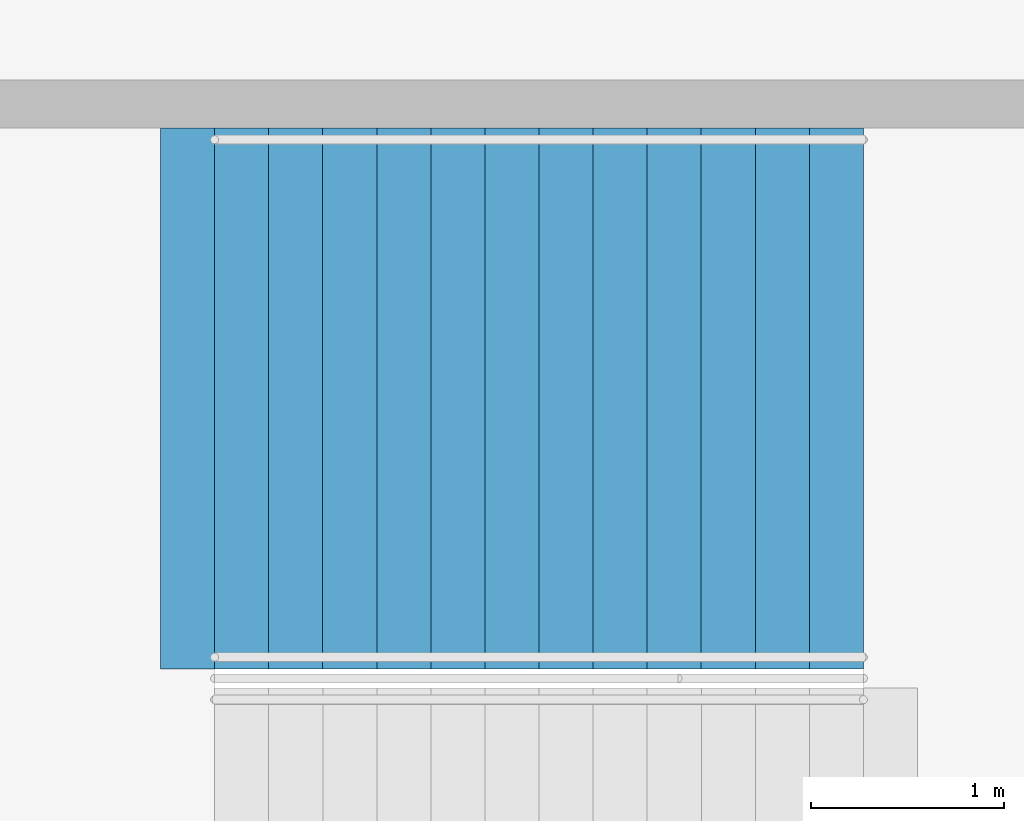
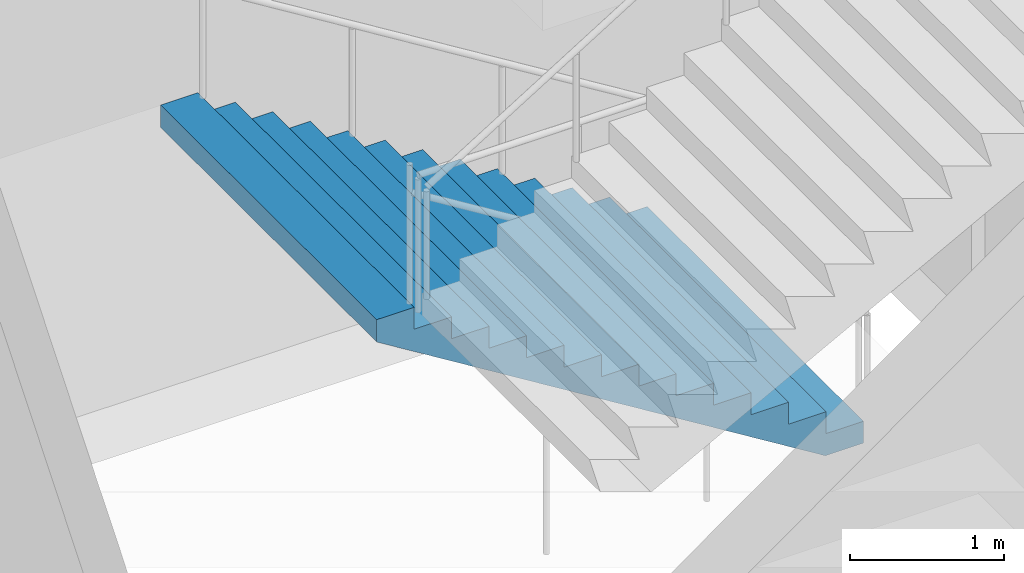
# One storey, part 157 of 199: 1 stair flight, 1 element without a shape of its own.
"""IFC4 building model written with IfcOpenShell, lengths in metres."""

from ifc_helpers import new_model, si_unit, direction, frame, origin, place, context, subcontext, project, spatial, faceted_brep, material, type_object, element, aggregate, save


model = new_model("IFC4")

# Units and contexts
model_context = context("Model", 3, precision=1e-05, world=origin(), true_north=direction((0.0, 1.0)))
body_context = subcontext(model_context, "Body", "Model", "MODEL_VIEW")
ifc_project = project(units=[si_unit("LENGTHUNIT", "METRE"), si_unit("AREAUNIT", "SQUARE_METRE"), si_unit("VOLUMEUNIT", "CUBIC_METRE"), si_unit("PLANEANGLEUNIT", "RADIAN"), si_unit("MASSUNIT", "GRAM", prefix="KILO")], contexts=[model_context])

# Site, building, storey
site_placement = place(None, origin())
site = spatial("IfcSite", under=ifc_project, at=site_placement, CompositionType="ELEMENT")
building_placement = place(site_placement, origin())
building = spatial("IfcBuilding", under=site, at=building_placement, Name="Ogive Plaza Stadium", CompositionType="ELEMENT")
storey_placement = place(building_placement, frame((0.0, 0.0, 4.5)))
storey = spatial("IfcBuildingStorey", under=building, at=storey_placement, Name="L01", CompositionType="ELEMENT", Elevation=4.5)

# Stair, stair flight
ifc_material_1 = material(Name="Concrete C40/50", Category="concrete")
stair_type = type_object("IfcStairType", Name="Exit stair", PredefinedType="STRAIGHT_RUN_STAIR", material=ifc_material_1)
stair_placement = place(storey_placement, origin())
stair = element("IfcStair", 1, at=stair_placement, inside=storey, type_object=stair_type, Name="Exit stair ST28A L01 to L02", PredefinedType="STRAIGHT_RUN_STAIR")
ifc_material_2 = material(Name="Concrete C40/50", Category="concrete")
stair_flight_type = type_object("IfcStairFlightType", Name="Exit stair flight", PredefinedType="STRAIGHT", material=ifc_material_2)
stair_flight_placement = place(storey_placement, frame((-76.35009765625, 56.925048828125, 0.0), z_axis=(0.0, 0.0, 1.0), x_axis=(-1.0, 0.0, 0.0)))
stair_flight = element("IfcStairFlight", 2, at=stair_flight_placement, type_object=stair_flight_type, Name="ST28A flight 1", NumberOfRisers=13, NumberOfTreads=12, PredefinedType="STRAIGHT", RiserHeight=0.173076923, TreadLength=0.28, context=body_context, shape_type="Brep", body=[
    faceted_brep([(0.28515625, -1.39990234375, 0.0), (3.639892578125, -1.39990234375, 2.07373046875), (3.639892578125, -1.39990234375, 2.25), (3.360107421875, -1.39990234375, 2.25), (3.360107421875, -1.39990234375, 2.076904296875), (3.080078125, -1.39990234375, 2.076904296875), (3.080078125, -1.39990234375, 1.90380859375), (2.800048828125, -1.39990234375, 1.90380859375), (2.800048828125, -1.39990234375, 1.730712890625), (2.52001953125, -1.39990234375, 1.730712890625), (2.52001953125, -1.39990234375, 1.5576171875), (2.239990234375, -1.39990234375, 1.5576171875), (2.239990234375, -1.39990234375, 1.384521484375), (1.9599609375, -1.39990234375, 1.384521484375), (1.9599609375, -1.39990234375, 1.21142578125), (1.679931640625, -1.39990234375, 1.21142578125), (1.679931640625, -1.39990234375, 1.03857421875), (1.39990234375, -1.39990234375, 1.03857421875), (1.39990234375, -1.39990234375, 0.865478515625), (1.1201171875, -1.39990234375, 0.865478515625), (1.1201171875, -1.39990234375, 0.6923828125), (0.840087890625, -1.39990234375, 0.6923828125), (0.840087890625, -1.39990234375, 0.519287109375), (0.56005859375, -1.39990234375, 0.519287109375), (0.56005859375, -1.39990234375, 0.34619140625), (0.280029296875, -1.39990234375, 0.34619140625), (0.280029296875, -1.39990234375, 0.173095703125), (0.0, -1.39990234375, 0.173095703125), (0.0, -1.39990234375, 0.0), (0.0, 1.39990234375, 0.0), (0.0, 1.39990234375, 0.173095703125), (0.280029296875, 1.39990234375, 0.173095703125), (0.280029296875, 1.39990234375, 0.34619140625), (0.56005859375, 1.39990234375, 0.34619140625), (0.56005859375, 1.39990234375, 0.519287109375), (0.840087890625, 1.39990234375, 0.519287109375), (0.840087890625, 1.39990234375, 0.6923828125), (1.1201171875, 1.39990234375, 0.6923828125), (1.1201171875, 1.39990234375, 0.865478515625), (1.39990234375, 1.39990234375, 0.865478515625), (1.39990234375, 1.39990234375, 1.03857421875), (1.679931640625, 1.39990234375, 1.03857421875), (1.679931640625, 1.39990234375, 1.21142578125), (1.9599609375, 1.39990234375, 1.21142578125), (1.9599609375, 1.39990234375, 1.384521484375), (2.239990234375, 1.39990234375, 1.384521484375), (2.239990234375, 1.39990234375, 1.5576171875), (2.52001953125, 1.39990234375, 1.5576171875), (2.52001953125, 1.39990234375, 1.730712890625), (2.800048828125, 1.39990234375, 1.730712890625), (2.800048828125, 1.39990234375, 1.90380859375), (3.080078125, 1.39990234375, 1.90380859375), (3.080078125, 1.39990234375, 2.076904296875), (3.360107421875, 1.39990234375, 2.076904296875), (3.360107421875, 1.39990234375, 2.25), (3.639892578125, 1.39990234375, 2.25), (3.639892578125, 1.39990234375, 2.07373046875), (0.28515625, 1.39990234375, 0.0), (0.28515625, -1.0888671875, 0.0), (3.639892578125, -1.0888671875, 2.07373046875), (0.28515625, -0.77783203125, 0.0), (3.639892578125, -0.77783203125, 2.07373046875), (0.28515625, -0.466796875, 0.0), (3.639892578125, -0.466796875, 2.07373046875), (0.28515625, -0.155517578125, 0.0), (3.639892578125, -0.155517578125, 2.07373046875), (0.28515625, 0.155517578125, 0.0), (3.639892578125, 0.155517578125, 2.07373046875), (0.28515625, 0.466796875, 0.0), (3.639892578125, 0.466796875, 2.07373046875), (0.28515625, 0.77783203125, 0.0), (3.639892578125, 0.77783203125, 2.07373046875), (0.28515625, 1.0888671875, 0.0), (3.639892578125, 1.0888671875, 2.07373046875), (3.639892578125, -1.0888671875, 2.25), (3.639892578125, -0.77783203125, 2.25), (3.639892578125, -0.466796875, 2.25), (3.639892578125, -0.155517578125, 2.25), (3.639892578125, 0.155517578125, 2.25), (3.639892578125, 0.466796875, 2.25), (3.639892578125, 0.77783203125, 2.25), (3.639892578125, 1.0888671875, 2.25), (3.360107421875, -1.0888671875, 2.25), (3.360107421875, -0.77783203125, 2.25), (3.360107421875, -0.466796875, 2.25), (3.360107421875, -0.155517578125, 2.25), (3.360107421875, 0.155517578125, 2.25), (3.360107421875, 0.466796875, 2.25), (3.360107421875, 0.77783203125, 2.25), (3.360107421875, 1.0888671875, 2.25), (3.360107421875, -1.0888671875, 2.076904296875), (3.360107421875, -0.77783203125, 2.076904296875), (3.360107421875, -0.466796875, 2.076904296875), (3.360107421875, -0.155517578125, 2.076904296875), (3.360107421875, 0.155517578125, 2.076904296875), (3.360107421875, 0.466796875, 2.076904296875), (3.360107421875, 0.77783203125, 2.076904296875), (3.360107421875, 1.0888671875, 2.076904296875), (3.080078125, -1.0888671875, 2.076904296875), (3.080078125, -0.77783203125, 2.076904296875), (3.080078125, -0.466796875, 2.076904296875), (3.080078125, -0.155517578125, 2.076904296875), (3.080078125, 0.155517578125, 2.076904296875), (3.080078125, 0.466796875, 2.076904296875), (3.080078125, 0.77783203125, 2.076904296875), (3.080078125, 1.0888671875, 2.076904296875), (3.080078125, -1.0888671875, 1.90380859375), (3.080078125, -0.77783203125, 1.90380859375), (3.080078125, -0.466796875, 1.90380859375), (3.080078125, -0.155517578125, 1.90380859375), (3.080078125, 0.155517578125, 1.90380859375), (3.080078125, 0.466796875, 1.90380859375), (3.080078125, 0.77783203125, 1.90380859375), (3.080078125, 1.0888671875, 1.90380859375), (2.800048828125, -1.0888671875, 1.90380859375), (2.800048828125, -0.77783203125, 1.90380859375), (2.800048828125, -0.466796875, 1.90380859375), (2.800048828125, -0.155517578125, 1.90380859375), (2.800048828125, 0.155517578125, 1.90380859375), (2.800048828125, 0.466796875, 1.90380859375), (2.800048828125, 0.77783203125, 1.90380859375), (2.800048828125, 1.0888671875, 1.90380859375), (2.800048828125, -1.0888671875, 1.730712890625), (2.800048828125, -0.77783203125, 1.730712890625), (2.800048828125, -0.466796875, 1.730712890625), (2.800048828125, -0.155517578125, 1.730712890625), (2.800048828125, 0.155517578125, 1.730712890625), (2.800048828125, 0.466796875, 1.730712890625), (2.800048828125, 0.77783203125, 1.730712890625), (2.800048828125, 1.0888671875, 1.730712890625), (2.52001953125, -1.0888671875, 1.730712890625), (2.52001953125, -0.77783203125, 1.730712890625), (2.52001953125, -0.466796875, 1.730712890625), (2.52001953125, -0.155517578125, 1.730712890625), (2.52001953125, 0.155517578125, 1.730712890625), (2.52001953125, 0.466796875, 1.730712890625), (2.52001953125, 0.77783203125, 1.730712890625), (2.52001953125, 1.0888671875, 1.730712890625), (2.52001953125, -1.0888671875, 1.5576171875), (2.52001953125, -0.77783203125, 1.5576171875), (2.52001953125, -0.466796875, 1.5576171875), (2.52001953125, -0.155517578125, 1.5576171875), (2.52001953125, 0.155517578125, 1.5576171875), (2.52001953125, 0.466796875, 1.5576171875), (2.52001953125, 0.77783203125, 1.5576171875), (2.52001953125, 1.0888671875, 1.5576171875), (2.239990234375, -1.0888671875, 1.5576171875), (2.239990234375, -0.77783203125, 1.5576171875), (2.239990234375, -0.466796875, 1.5576171875), (2.239990234375, -0.155517578125, 1.5576171875), (2.239990234375, 0.155517578125, 1.5576171875), (2.239990234375, 0.466796875, 1.5576171875), (2.239990234375, 0.77783203125, 1.5576171875), (2.239990234375, 1.0888671875, 1.5576171875), (2.239990234375, -1.0888671875, 1.384521484375), (2.239990234375, -0.77783203125, 1.384521484375), (2.239990234375, -0.466796875, 1.384521484375), (2.239990234375, -0.155517578125, 1.384521484375), (2.239990234375, 0.155517578125, 1.384521484375), (2.239990234375, 0.466796875, 1.384521484375), (2.239990234375, 0.77783203125, 1.384521484375), (2.239990234375, 1.0888671875, 1.384521484375), (1.9599609375, -1.0888671875, 1.384521484375), (1.9599609375, -0.77783203125, 1.384521484375), (1.9599609375, -0.466796875, 1.384521484375), (1.9599609375, -0.155517578125, 1.384521484375), (1.9599609375, 0.155517578125, 1.384521484375), (1.9599609375, 0.466796875, 1.384521484375), (1.9599609375, 0.77783203125, 1.384521484375), (1.9599609375, 1.0888671875, 1.384521484375), (1.9599609375, -1.0888671875, 1.21142578125), (1.9599609375, -0.77783203125, 1.21142578125), (1.9599609375, -0.466796875, 1.21142578125), (1.9599609375, -0.155517578125, 1.21142578125), (1.9599609375, 0.155517578125, 1.21142578125), (1.9599609375, 0.466796875, 1.21142578125), (1.9599609375, 0.77783203125, 1.21142578125), (1.9599609375, 1.0888671875, 1.21142578125), (1.679931640625, -1.0888671875, 1.21142578125), (1.679931640625, -0.77783203125, 1.21142578125), (1.679931640625, -0.466796875, 1.21142578125), (1.679931640625, -0.155517578125, 1.21142578125), (1.679931640625, 0.155517578125, 1.21142578125), (1.679931640625, 0.466796875, 1.21142578125), (1.679931640625, 0.77783203125, 1.21142578125), (1.679931640625, 1.0888671875, 1.21142578125), (1.679931640625, -1.0888671875, 1.03857421875), (1.679931640625, -0.77783203125, 1.03857421875), (1.679931640625, -0.466796875, 1.03857421875), (1.679931640625, -0.155517578125, 1.03857421875), (1.679931640625, 0.155517578125, 1.03857421875), (1.679931640625, 0.466796875, 1.03857421875), (1.679931640625, 0.77783203125, 1.03857421875), (1.679931640625, 1.0888671875, 1.03857421875), (1.39990234375, -1.0888671875, 1.03857421875), (1.39990234375, -0.77783203125, 1.03857421875), (1.39990234375, -0.466796875, 1.03857421875), (1.39990234375, -0.155517578125, 1.03857421875), (1.39990234375, 0.155517578125, 1.03857421875), (1.39990234375, 0.466796875, 1.03857421875), (1.39990234375, 0.77783203125, 1.03857421875), (1.39990234375, 1.0888671875, 1.03857421875), (1.39990234375, -1.0888671875, 0.865478515625), (1.39990234375, -0.77783203125, 0.865478515625), (1.39990234375, -0.466796875, 0.865478515625), (1.39990234375, -0.155517578125, 0.865478515625), (1.39990234375, 0.155517578125, 0.865478515625), (1.39990234375, 0.466796875, 0.865478515625), (1.39990234375, 0.77783203125, 0.865478515625), (1.39990234375, 1.0888671875, 0.865478515625), (1.1201171875, -1.0888671875, 0.865478515625), (1.1201171875, -0.77783203125, 0.865478515625), (1.1201171875, -0.466796875, 0.865478515625), (1.1201171875, -0.155517578125, 0.865478515625), (1.1201171875, 0.155517578125, 0.865478515625), (1.1201171875, 0.466796875, 0.865478515625), (1.1201171875, 0.77783203125, 0.865478515625), (1.1201171875, 1.0888671875, 0.865478515625), (1.1201171875, -1.0888671875, 0.6923828125), (1.1201171875, -0.77783203125, 0.6923828125), (1.1201171875, -0.466796875, 0.6923828125), (1.1201171875, -0.155517578125, 0.6923828125), (1.1201171875, 0.155517578125, 0.6923828125), (1.1201171875, 0.466796875, 0.6923828125), (1.1201171875, 0.77783203125, 0.6923828125), (1.1201171875, 1.0888671875, 0.6923828125), (0.840087890625, -1.0888671875, 0.6923828125), (0.840087890625, -0.77783203125, 0.6923828125), (0.840087890625, -0.466796875, 0.6923828125), (0.840087890625, -0.155517578125, 0.6923828125), (0.840087890625, 0.155517578125, 0.6923828125), (0.840087890625, 0.466796875, 0.6923828125), (0.840087890625, 0.77783203125, 0.6923828125), (0.840087890625, 1.0888671875, 0.6923828125), (0.840087890625, -1.0888671875, 0.519287109375), (0.840087890625, -0.77783203125, 0.519287109375), (0.840087890625, -0.466796875, 0.519287109375), (0.840087890625, -0.155517578125, 0.519287109375), (0.840087890625, 0.155517578125, 0.519287109375), (0.840087890625, 0.466796875, 0.519287109375), (0.840087890625, 0.77783203125, 0.519287109375), (0.840087890625, 1.0888671875, 0.519287109375), (0.56005859375, -1.0888671875, 0.519287109375), (0.56005859375, -0.77783203125, 0.519287109375), (0.56005859375, -0.466796875, 0.519287109375), (0.56005859375, -0.155517578125, 0.519287109375), (0.56005859375, 0.155517578125, 0.519287109375), (0.56005859375, 0.466796875, 0.519287109375), (0.56005859375, 0.77783203125, 0.519287109375), (0.56005859375, 1.0888671875, 0.519287109375), (0.56005859375, -1.0888671875, 0.34619140625), (0.56005859375, -0.77783203125, 0.34619140625), (0.56005859375, -0.466796875, 0.34619140625), (0.56005859375, -0.155517578125, 0.34619140625), (0.56005859375, 0.155517578125, 0.34619140625), (0.56005859375, 0.466796875, 0.34619140625), (0.56005859375, 0.77783203125, 0.34619140625), (0.56005859375, 1.0888671875, 0.34619140625), (0.280029296875, -1.0888671875, 0.34619140625), (0.280029296875, -0.77783203125, 0.34619140625), (0.280029296875, -0.466796875, 0.34619140625), (0.280029296875, -0.155517578125, 0.34619140625), (0.280029296875, 0.155517578125, 0.34619140625), (0.280029296875, 0.466796875, 0.34619140625), (0.280029296875, 0.77783203125, 0.34619140625), (0.280029296875, 1.0888671875, 0.34619140625), (0.280029296875, -1.0888671875, 0.173095703125), (0.280029296875, -0.77783203125, 0.173095703125), (0.280029296875, -0.466796875, 0.173095703125), (0.280029296875, -0.155517578125, 0.173095703125), (0.280029296875, 0.155517578125, 0.173095703125), (0.280029296875, 0.466796875, 0.173095703125), (0.280029296875, 0.77783203125, 0.173095703125), (0.280029296875, 1.0888671875, 0.173095703125), (0.0, -1.0888671875, 0.173095703125), (0.0, -0.77783203125, 0.173095703125), (0.0, -0.466796875, 0.173095703125), (0.0, -0.155517578125, 0.173095703125), (0.0, 0.155517578125, 0.173095703125), (0.0, 0.466796875, 0.173095703125), (0.0, 0.77783203125, 0.173095703125), (0.0, 1.0888671875, 0.173095703125), (0.0, -1.0888671875, 0.0), (0.0, -0.77783203125, 0.0), (0.0, -0.466796875, 0.0), (0.0, -0.155517578125, 0.0), (0.0, 0.155517578125, 0.0), (0.0, 0.466796875, 0.0), (0.0, 0.77783203125, 0.0), (0.0, 1.0888671875, 0.0)], [[[0, 1, 2, 3, 4, 5, 6, 7, 8, 9, 10, 11, 12, 13, 14, 15, 16, 17, 18, 19, 20, 21, 22, 23, 24, 25, 26, 27, 28]], [[29, 30, 31, 32, 33, 34, 35, 36, 37, 38, 39, 40, 41, 42, 43, 44, 45, 46, 47, 48, 49, 50, 51, 52, 53, 54, 55, 56, 57]], [[0, 58, 59, 1]], [[58, 60, 61, 59]], [[60, 62, 63, 61]], [[62, 64, 65, 63]], [[64, 66, 67, 65]], [[66, 68, 69, 67]], [[68, 70, 71, 69]], [[70, 72, 73, 71]], [[72, 57, 56, 73]], [[1, 59, 74, 2]], [[59, 61, 75, 74]], [[61, 63, 76, 75]], [[63, 65, 77, 76]], [[65, 67, 78, 77]], [[67, 69, 79, 78]], [[69, 71, 80, 79]], [[71, 73, 81, 80]], [[73, 56, 55, 81]], [[2, 74, 82, 3]], [[74, 75, 83, 82]], [[75, 76, 84, 83]], [[76, 77, 85, 84]], [[77, 78, 86, 85]], [[78, 79, 87, 86]], [[79, 80, 88, 87]], [[80, 81, 89, 88]], [[81, 55, 54, 89]], [[3, 82, 90, 4]], [[82, 83, 91, 90]], [[83, 84, 92, 91]], [[84, 85, 93, 92]], [[85, 86, 94, 93]], [[86, 87, 95, 94]], [[87, 88, 96, 95]], [[88, 89, 97, 96]], [[89, 54, 53, 97]], [[4, 90, 98, 5]], [[90, 91, 99, 98]], [[91, 92, 100, 99]], [[92, 93, 101, 100]], [[93, 94, 102, 101]], [[94, 95, 103, 102]], [[95, 96, 104, 103]], [[96, 97, 105, 104]], [[97, 53, 52, 105]], [[5, 98, 106, 6]], [[98, 99, 107, 106]], [[99, 100, 108, 107]], [[100, 101, 109, 108]], [[101, 102, 110, 109]], [[102, 103, 111, 110]], [[103, 104, 112, 111]], [[104, 105, 113, 112]], [[105, 52, 51, 113]], [[6, 106, 114, 7]], [[106, 107, 115, 114]], [[107, 108, 116, 115]], [[108, 109, 117, 116]], [[109, 110, 118, 117]], [[110, 111, 119, 118]], [[111, 112, 120, 119]], [[112, 113, 121, 120]], [[113, 51, 50, 121]], [[7, 114, 122, 8]], [[114, 115, 123, 122]], [[115, 116, 124, 123]], [[116, 117, 125, 124]], [[117, 118, 126, 125]], [[118, 119, 127, 126]], [[119, 120, 128, 127]], [[120, 121, 129, 128]], [[121, 50, 49, 129]], [[8, 122, 130, 9]], [[122, 123, 131, 130]], [[123, 124, 132, 131]], [[124, 125, 133, 132]], [[125, 126, 134, 133]], [[126, 127, 135, 134]], [[127, 128, 136, 135]], [[128, 129, 137, 136]], [[129, 49, 48, 137]], [[9, 130, 138, 10]], [[130, 131, 139, 138]], [[131, 132, 140, 139]], [[132, 133, 141, 140]], [[133, 134, 142, 141]], [[134, 135, 143, 142]], [[135, 136, 144, 143]], [[136, 137, 145, 144]], [[137, 48, 47, 145]], [[10, 138, 146, 11]], [[138, 139, 147, 146]], [[139, 140, 148, 147]], [[140, 141, 149, 148]], [[141, 142, 150, 149]], [[142, 143, 151, 150]], [[143, 144, 152, 151]], [[144, 145, 153, 152]], [[145, 47, 46, 153]], [[11, 146, 154, 12]], [[146, 147, 155, 154]], [[147, 148, 156, 155]], [[148, 149, 157, 156]], [[149, 150, 158, 157]], [[150, 151, 159, 158]], [[151, 152, 160, 159]], [[152, 153, 161, 160]], [[153, 46, 45, 161]], [[12, 154, 162, 13]], [[154, 155, 163, 162]], [[155, 156, 164, 163]], [[156, 157, 165, 164]], [[157, 158, 166, 165]], [[158, 159, 167, 166]], [[159, 160, 168, 167]], [[160, 161, 169, 168]], [[161, 45, 44, 169]], [[13, 162, 170, 14]], [[162, 163, 171, 170]], [[163, 164, 172, 171]], [[164, 165, 173, 172]], [[165, 166, 174, 173]], [[166, 167, 175, 174]], [[167, 168, 176, 175]], [[168, 169, 177, 176]], [[169, 44, 43, 177]], [[14, 170, 178, 15]], [[170, 171, 179, 178]], [[171, 172, 180, 179]], [[172, 173, 181, 180]], [[173, 174, 182, 181]], [[174, 175, 183, 182]], [[175, 176, 184, 183]], [[176, 177, 185, 184]], [[177, 43, 42, 185]], [[15, 178, 186, 16]], [[178, 179, 187, 186]], [[179, 180, 188, 187]], [[180, 181, 189, 188]], [[181, 182, 190, 189]], [[182, 183, 191, 190]], [[183, 184, 192, 191]], [[184, 185, 193, 192]], [[185, 42, 41, 193]], [[16, 186, 194, 17]], [[186, 187, 195, 194]], [[187, 188, 196, 195]], [[188, 189, 197, 196]], [[189, 190, 198, 197]], [[190, 191, 199, 198]], [[191, 192, 200, 199]], [[192, 193, 201, 200]], [[193, 41, 40, 201]], [[17, 194, 202, 18]], [[194, 195, 203, 202]], [[195, 196, 204, 203]], [[196, 197, 205, 204]], [[197, 198, 206, 205]], [[198, 199, 207, 206]], [[199, 200, 208, 207]], [[200, 201, 209, 208]], [[201, 40, 39, 209]], [[18, 202, 210, 19]], [[202, 203, 211, 210]], [[203, 204, 212, 211]], [[204, 205, 213, 212]], [[205, 206, 214, 213]], [[206, 207, 215, 214]], [[207, 208, 216, 215]], [[208, 209, 217, 216]], [[209, 39, 38, 217]], [[19, 210, 218, 20]], [[210, 211, 219, 218]], [[211, 212, 220, 219]], [[212, 213, 221, 220]], [[213, 214, 222, 221]], [[214, 215, 223, 222]], [[215, 216, 224, 223]], [[216, 217, 225, 224]], [[217, 38, 37, 225]], [[20, 218, 226, 21]], [[218, 219, 227, 226]], [[219, 220, 228, 227]], [[220, 221, 229, 228]], [[221, 222, 230, 229]], [[222, 223, 231, 230]], [[223, 224, 232, 231]], [[224, 225, 233, 232]], [[225, 37, 36, 233]], [[21, 226, 234, 22]], [[226, 227, 235, 234]], [[227, 228, 236, 235]], [[228, 229, 237, 236]], [[229, 230, 238, 237]], [[230, 231, 239, 238]], [[231, 232, 240, 239]], [[232, 233, 241, 240]], [[233, 36, 35, 241]], [[22, 234, 242, 23]], [[234, 235, 243, 242]], [[235, 236, 244, 243]], [[236, 237, 245, 244]], [[237, 238, 246, 245]], [[238, 239, 247, 246]], [[239, 240, 248, 247]], [[240, 241, 249, 248]], [[241, 35, 34, 249]], [[23, 242, 250, 24]], [[242, 243, 251, 250]], [[243, 244, 252, 251]], [[244, 245, 253, 252]], [[245, 246, 254, 253]], [[246, 247, 255, 254]], [[247, 248, 256, 255]], [[248, 249, 257, 256]], [[249, 34, 33, 257]], [[24, 250, 258, 25]], [[250, 251, 259, 258]], [[251, 252, 260, 259]], [[252, 253, 261, 260]], [[253, 254, 262, 261]], [[254, 255, 263, 262]], [[255, 256, 264, 263]], [[256, 257, 265, 264]], [[257, 33, 32, 265]], [[25, 258, 266, 26]], [[258, 259, 267, 266]], [[259, 260, 268, 267]], [[260, 261, 269, 268]], [[261, 262, 270, 269]], [[262, 263, 271, 270]], [[263, 264, 272, 271]], [[264, 265, 273, 272]], [[265, 32, 31, 273]], [[26, 266, 274, 27]], [[266, 267, 275, 274]], [[267, 268, 276, 275]], [[268, 269, 277, 276]], [[269, 270, 278, 277]], [[270, 271, 279, 278]], [[271, 272, 280, 279]], [[272, 273, 281, 280]], [[273, 31, 30, 281]], [[27, 274, 282, 28]], [[274, 275, 283, 282]], [[275, 276, 284, 283]], [[276, 277, 285, 284]], [[277, 278, 286, 285]], [[278, 279, 287, 286]], [[279, 280, 288, 287]], [[280, 281, 289, 288]], [[281, 30, 29, 289]], [[28, 282, 58, 0]], [[282, 283, 60, 58]], [[283, 284, 62, 60]], [[284, 285, 64, 62]], [[285, 286, 66, 64]], [[286, 287, 68, 66]], [[287, 288, 70, 68]], [[288, 289, 72, 70]], [[289, 29, 57, 72]]]),
])
aggregate(stair, [stair_flight])

save(model, "model.ifc")
